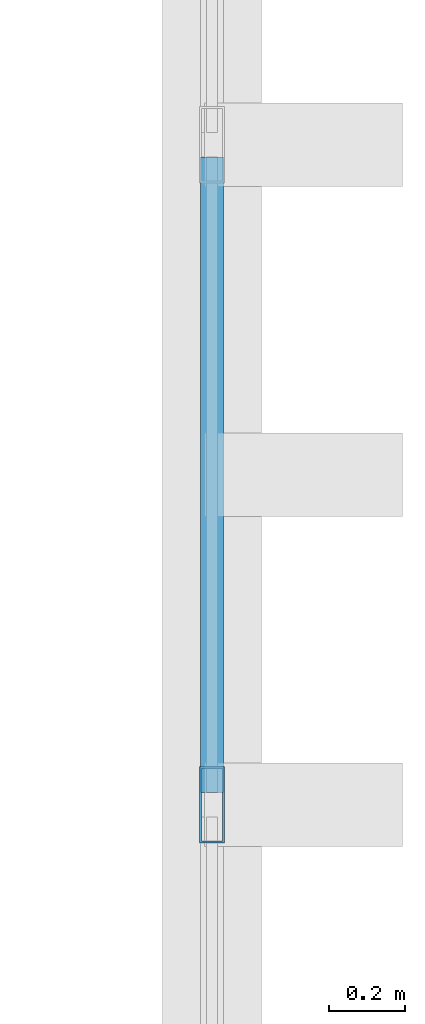
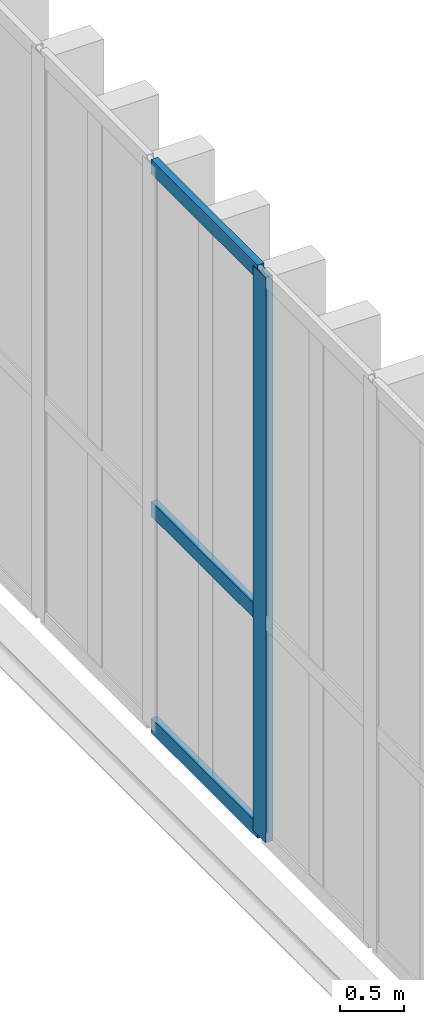
# One storey, part 111 of 237: 4 members, 1 element without a shape of its own.
"""IFC4 building model written with IfcOpenShell, lengths in metres."""

from ifc_helpers import new_model, si_unit, direction, frame, origin, origin_2d, place, context, subcontext, project, spatial, hollow_rectangle, extrude, material, layer, layer_set, material_profile, profile_set, type_object, element, aggregate, save


model = new_model("IFC4")

# Units and contexts
model_context = context("Model", 3, precision=1e-05, world=origin(), true_north=direction((0.0, 1.0)))
body_context = subcontext(model_context, "Body", "Model", "MODEL_VIEW")
ifc_project = project(units=[si_unit("LENGTHUNIT", "METRE"), si_unit("AREAUNIT", "SQUARE_METRE"), si_unit("VOLUMEUNIT", "CUBIC_METRE"), si_unit("PLANEANGLEUNIT", "RADIAN"), si_unit("MASSUNIT", "GRAM", prefix="KILO")], contexts=[model_context])

# Site, building, storey
site_placement = place(None, origin())
site = spatial("IfcSite", under=ifc_project, at=site_placement, CompositionType="ELEMENT")
building_placement = place(site_placement, origin())
building = spatial("IfcBuilding", under=site, at=building_placement, Name="Barlavento Convention Centre", CompositionType="ELEMENT")
storey_placement = place(building_placement, frame((0.0, 0.0, 12.0)))
storey = spatial("IfcBuildingStorey", under=building, at=storey_placement, Name="L02", CompositionType="ELEMENT", Elevation=12.0)

# Curtain wall, members
ifc_material_1 = material(Name="Powder-coated aluminium and Low-E glass", Category="aluminium")
ifc_layer = layer(ifc_material_1, 0.18505859375)
ifc_layer_set = layer_set([ifc_layer], Name="ARC-CW-EXH-L02")
curtain_wall_type = type_object("IfcCurtainWallType", Name="ARC-CW-EXH-L02", PredefinedType="NOTDEFINED", material=ifc_layer_set)
curtain_wall_placement = place(storey_placement, origin())
curtain_wall = element("IfcCurtainWall", 1, at=curtain_wall_placement, inside=storey, type_object=curtain_wall_type, Name="L02 unitised curtain wall CW05", PredefinedType="NOTDEFINED")
ifc_material_2 = material(Name="Powder-coated aluminium", Category="aluminium")
ifc_material_profile_1 = material_profile(ifc_material_2, hollow_rectangle(XDim=0.06494140625, YDim=0.199951171875, WallThickness=0.0048828125, at=origin_2d()), Name="AL-MULL 65x200x5")
ifc_profile_set_1 = profile_set([ifc_material_profile_1], Name="Powder-coated aluminium")
member_type_1 = type_object("IfcMemberType", Name="ARC-CWM-65X200", PredefinedType="MULLION", material=ifc_profile_set_1)
member_1_placement = place(storey_placement, frame((126.0, 126.04833984375, 0.10009765625), z_axis=(0.0, 0.0, 1.0), x_axis=(-1.0, 0.0, 0.0)))
member_1 = element("IfcMember", 2, at=member_1_placement, type_object=member_type_1, Name="CW05 mullion 6", PredefinedType="MULLION", context=body_context, shape_type="SweptSolid", body=[
    extrude(hollow_rectangle(XDim=0.06494140625, YDim=0.199951171875, WallThickness=0.0048828125, at=origin_2d()), origin(), (0.0, 0.0, 1.0), 5.39990234375),
])
ifc_material_profile_2 = material_profile(ifc_material_2, hollow_rectangle(XDim=0.06005859375, YDim=0.139892578125, WallThickness=0.00390625, at=origin_2d()), Name="AL-TRAN 60x140x4")
ifc_profile_set_2 = profile_set([ifc_material_profile_2], Name="Powder-coated aluminium")
member_type_2 = type_object("IfcMemberType", Name="ARC-CWT-60X140", PredefinedType="USERDEFINED", material=ifc_profile_set_2)
member_2_placement = place(storey_placement, frame((126.0, 126.080810546875, 0.1298828125), z_axis=(0.0, 1.0, 0.0), x_axis=(-1.0, 0.0, 0.0)))
member_2 = element("IfcMember", 3, at=member_2_placement, type_object=member_type_2, Name="CW05 transom 6.1", ObjectType="TRANSOM", PredefinedType="USERDEFINED", context=body_context, shape_type="SweptSolid", body=[
    extrude(hollow_rectangle(XDim=0.06005859375, YDim=0.139892578125, WallThickness=0.00390625, at=origin_2d()), origin(), (0.0, 0.0, 1.0), 1.668701171875),
])
member_3_placement = place(storey_placement, frame((126.0, 126.080810546875, 2.199951171875), z_axis=(0.0, 1.0, 0.0), x_axis=(-1.0, 0.0, 0.0)))
member_3 = element("IfcMember", 4, at=member_3_placement, type_object=member_type_2, Name="CW05 transom 6.2", ObjectType="TRANSOM", PredefinedType="USERDEFINED", context=body_context, shape_type="SweptSolid", body=[
    extrude(hollow_rectangle(XDim=0.06005859375, YDim=0.139892578125, WallThickness=0.00390625, at=origin_2d()), origin(), (0.0, 0.0, 1.0), 1.668701171875),
])
member_4_placement = place(storey_placement, frame((126.0, 126.080810546875, 5.469970703125), z_axis=(0.0, 1.0, 0.0), x_axis=(-1.0, 0.0, 0.0)))
member_4 = element("IfcMember", 5, at=member_4_placement, type_object=member_type_2, Name="CW05 transom 6.3", ObjectType="TRANSOM", PredefinedType="USERDEFINED", context=body_context, shape_type="SweptSolid", body=[
    extrude(hollow_rectangle(XDim=0.06005859375, YDim=0.139892578125, WallThickness=0.00390625, at=origin_2d()), origin(), (0.0, 0.0, 1.0), 1.668701171875),
])
aggregate(curtain_wall, [member_1, member_2, member_3, member_4])

save(model, "model.ifc")
